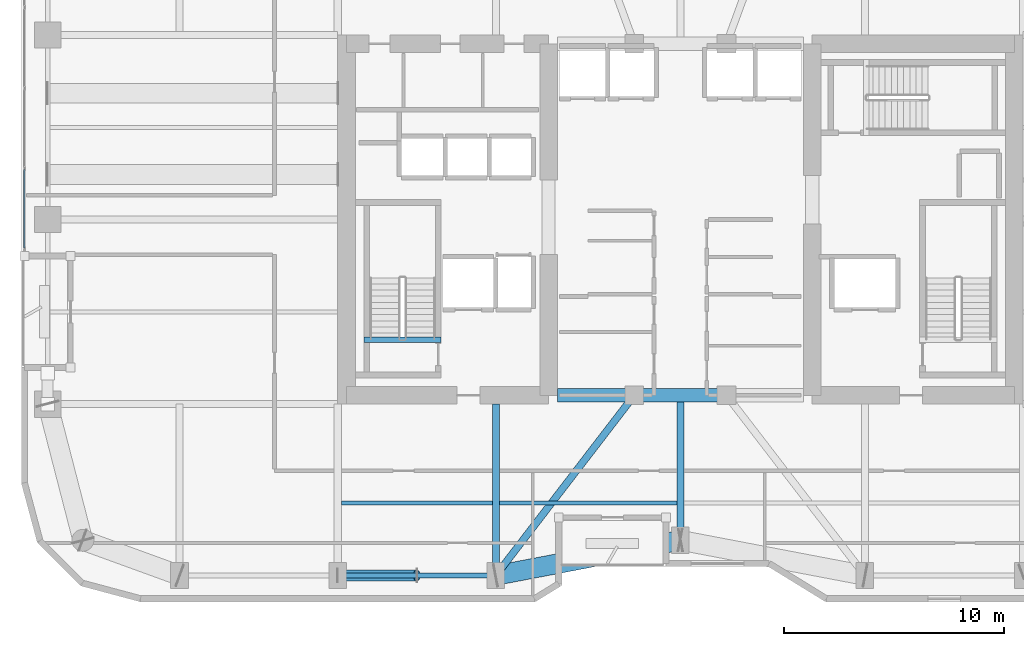
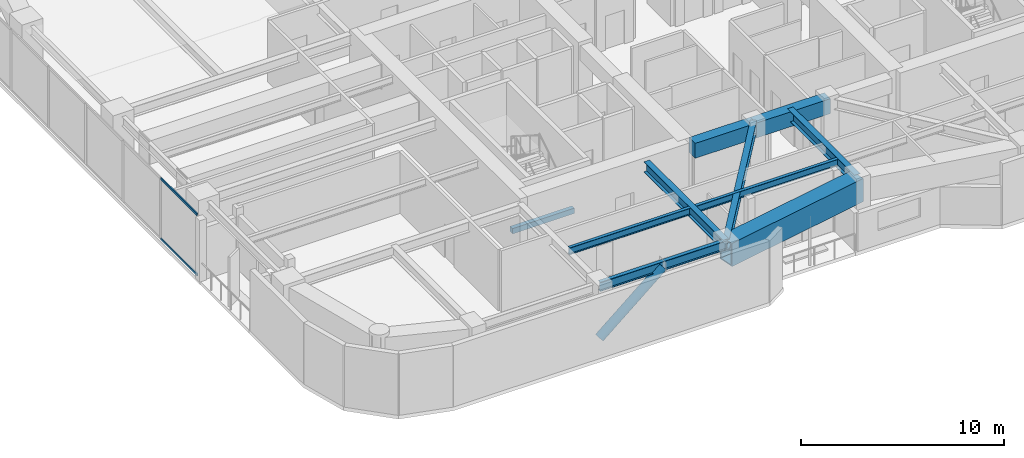
# One storey, part 3 of 30: 10 beams, 3 members, 1 element without a shape of its own.
"""IFC4 building model written with IfcOpenShell, lengths in metres."""

from ifc_helpers import new_model, si_unit, direction, frame, origin, origin_2d, place, context, subcontext, project, spatial, rectangle, hollow_rectangle, hollow_circle, i_section, extrude, material, layer, layer_set, material_profile, profile_set, type_object, element, aggregate, save


model = new_model("IFC4")

# Units and contexts
model_context = context("Model", 3, precision=1e-05, world=origin(), true_north=direction((0.0, 1.0)))
body_context = subcontext(model_context, "Body", "Model", "MODEL_VIEW")
ifc_project = project(units=[si_unit("LENGTHUNIT", "METRE"), si_unit("AREAUNIT", "SQUARE_METRE"), si_unit("VOLUMEUNIT", "CUBIC_METRE"), si_unit("PLANEANGLEUNIT", "RADIAN"), si_unit("MASSUNIT", "GRAM", prefix="KILO")], contexts=[model_context])

# Site, building, storey
site_placement = place(None, origin())
site = spatial("IfcSite", under=ifc_project, at=site_placement, CompositionType="ELEMENT")
building_placement = place(site_placement, origin())
building = spatial("IfcBuilding", under=site, at=building_placement, Name="Kiyonajd Concourse Tower", CompositionType="ELEMENT")
storey_placement = place(building_placement, frame((0.0, 0.0, 177.89990234375)))
storey = spatial("IfcBuildingStorey", under=building, at=storey_placement, Name="L45", CompositionType="ELEMENT", Elevation=177.89990234375)

# Beams
ifc_material_1 = material(Name="Concrete C60/75", Category="concrete")
ifc_material_profile_1 = material_profile(ifc_material_1, rectangle(XDim=0.60009765625, YDim=0.89990234375, at=origin_2d()), Name="RCBM-600x900")
ifc_profile_set_1 = profile_set([ifc_material_profile_1], Name="Concrete C60/75")
beam_type_1 = type_object("IfcBeamType", Name="BM-COUP-900", PredefinedType="LINTEL", material=ifc_profile_set_1)
beam_1_placement = place(storey_placement, frame((42.39990234375, 28.0, 3.22998046875), z_axis=(1.0, 0.0, 0.0), x_axis=(0.0, 1.0, 0.0)))
element("IfcBeam", 1, at=beam_1_placement, inside=storey, type_object=beam_type_1, Name="L45 Core Coupling Beam S1", PredefinedType="LINTEL", context=body_context, shape_type="SweptSolid", body=[
    extrude(rectangle(XDim=0.60009765625, YDim=0.89990234375, at=origin_2d()), origin(), (0.0, 0.0, 1.0), 3.5),
])
beam_2_placement = place(storey_placement, frame((45.89990234375, 28.0, 3.22998046875), z_axis=(1.0, 0.0, 0.0), x_axis=(0.0, 1.0, 0.0)))
element("IfcBeam", 2, at=beam_2_placement, inside=storey, type_object=beam_type_1, Name="L45 Core Coupling Beam S2", PredefinedType="LINTEL", context=body_context, shape_type="SweptSolid", body=[
    extrude(rectangle(XDim=0.60009765625, YDim=0.89990234375, at=origin_2d()), origin(), (0.0, 0.0, 1.0), 4.2001953125),
])
ifc_material_2 = material(Name="Steel ASTM A992 Grade 50", Category="steel")
ifc_material_profile_2 = material_profile(ifc_material_2, i_section(OverallWidth=0.180908203125, OverallDepth=0.4169921875, WebThickness=0.010986328125, FlangeThickness=0.018310546875, at=origin_2d()), Name="W410X85")
ifc_profile_set_2 = profile_set([ifc_material_profile_2], Name="Steel ASTM A992 Grade 50")
beam_type_2 = type_object("IfcBeamType", Name="BM-JST-410", PredefinedType="JOIST", material=ifc_profile_set_2)
beam_3_placement = place(storey_placement, frame((32.5634765625, 23.10009765625, 3.4716796875), z_axis=(1.0, 0.0, 0.0), x_axis=(0.0, 1.0, 0.0)))
element("IfcBeam", 3, at=beam_3_placement, inside=storey, type_object=beam_type_2, Name="L45 Secondary Floor Joist", PredefinedType="JOIST", context=body_context, shape_type="SweptSolid", body=[
    extrude(i_section(OverallWidth=0.180908203125, OverallDepth=0.4169921875, WebThickness=0.010986328125, FlangeThickness=0.018310546875, at=origin_2d()), origin(), (0.0, 0.0, 1.0), 6.873046875),
])
beam_4_placement = place(storey_placement, frame((39.763427734375, 23.10009765625, 3.4716796875), z_axis=(1.0, 0.0, 0.0), x_axis=(0.0, 1.0, 0.0)))
element("IfcBeam", 4, at=beam_4_placement, inside=storey, type_object=beam_type_2, Name="L45 Secondary Floor Joist", PredefinedType="JOIST", context=body_context, shape_type="SweptSolid", body=[
    extrude(i_section(OverallWidth=0.180908203125, OverallDepth=0.4169921875, WebThickness=0.010986328125, FlangeThickness=0.018310546875, at=origin_2d()), origin(), (0.0, 0.0, 1.0), 8.072998046875),
])
ifc_material_3 = material(Name="Concrete C50/60", Category="concrete")
ifc_material_profile_3 = material_profile(ifc_material_3, rectangle(XDim=0.239990234375, YDim=0.320068359375, at=origin_2d()), Name="RCBM-240x320")
ifc_profile_set_3 = profile_set([ifc_material_profile_3], Name="Concrete C50/60")
beam_type_3 = type_object("IfcBeamType", Name="BM-LNT-250", PredefinedType="LINTEL", material=ifc_profile_set_3)
beam_5_placement = place(storey_placement, frame((33.590087890625, 30.530029296875, -0.159912109375), z_axis=(1.0, 0.0, 0.0), x_axis=(0.0, 1.0, 0.0)))
element("IfcBeam", 5, at=beam_5_placement, inside=storey, type_object=beam_type_3, Name="L45 Stair ST1 Threshold Support Beam", PredefinedType="LINTEL", context=body_context, shape_type="SweptSolid", body=[
    extrude(rectangle(XDim=0.239990234375, YDim=0.320068359375, at=origin_2d()), origin(), (0.0, 0.0, 1.0), 3.52001953125),
])
ifc_material_profile_4 = material_profile(ifc_material_2, i_section(OverallWidth=0.214111328125, OverallDepth=0.549072265625, WebThickness=0.0146484375, FlangeThickness=0.023681640625, at=origin_2d()), Name="W530X138")
ifc_profile_set_4 = profile_set([ifc_material_profile_4], Name="Steel ASTM A992 Grade 50")
beam_type_4 = type_object("IfcBeamType", Name="BM-SPAN-530A", PredefinedType="SPANDREL", material=ifc_profile_set_4)
beam_6_placement = place(storey_placement, frame((32.39990234375, 19.800048828125, 3.405517578125), z_axis=(1.0, 0.0, 0.0), x_axis=(0.0, 1.0, 0.0)))
element("IfcBeam", 6, at=beam_6_placement, inside=storey, type_object=beam_type_4, Name="L45 Perimeter Bundled Tube Spandrel", PredefinedType="SPANDREL", context=body_context, shape_type="SweptSolid", body=[
    extrude(i_section(OverallWidth=0.214111328125, OverallDepth=0.549072265625, WebThickness=0.0146484375, FlangeThickness=0.023681640625, at=origin_2d()), origin(), (0.0, 0.0, 1.0), 7.2001953125),
])
ifc_material_profile_5 = material_profile(ifc_material_2, i_section(OverallWidth=0.326904296875, OverallDepth=0.6220703125, WebThickness=0.015380859375, FlangeThickness=0.0244140625, at=origin_2d()), Name="W610X195")
ifc_profile_set_5 = profile_set([ifc_material_profile_5], Name="Steel ASTM A992 Grade 50")
beam_type_5 = type_object("IfcBeamType", Name="BM-TWR-610A", PredefinedType="BEAM", material=ifc_profile_set_5)
beam_7_placement = place(storey_placement, frame((39.60009765625, 19.800048828125, 3.369140625), z_axis=(0.609233709922, 0.792990722956, 0.0), x_axis=(-0.792990722956, 0.609233709922, 0.0)))
element("IfcBeam", 7, at=beam_7_placement, inside=storey, type_object=beam_type_5, Name="L45 Core Tie Girder", PredefinedType="BEAM", context=body_context, shape_type="SweptSolid", body=[
    extrude(i_section(OverallWidth=0.326904296875, OverallDepth=0.6220703125, WebThickness=0.015380859375, FlangeThickness=0.0244140625, at=origin_2d()), origin(), (0.0, 0.0, 1.0), 10.340576171875),
])
beam_8_placement = place(storey_placement, frame((39.60009765625, 19.800048828125, 3.369140625), z_axis=(0.0, 1.0, 0.0), x_axis=(-1.0, 0.0, 0.0)))
element("IfcBeam", 8, at=beam_8_placement, inside=storey, type_object=beam_type_5, Name="L45 South Lease Girder", PredefinedType="BEAM", context=body_context, shape_type="SweptSolid", body=[
    extrude(i_section(OverallWidth=0.326904296875, OverallDepth=0.6220703125, WebThickness=0.015380859375, FlangeThickness=0.0244140625, at=origin_2d()), origin(), (0.0, 0.0, 1.0), 7.800048828125),
])
beam_9_placement = place(storey_placement, frame((48.0, 21.39990234375, 3.369140625), z_axis=(0.0, 1.0, 0.0), x_axis=(-1.0, 0.0, 0.0)))
element("IfcBeam", 9, at=beam_9_placement, inside=storey, type_object=beam_type_5, Name="L45 South Ribbon Girder", PredefinedType="BEAM", context=body_context, shape_type="SweptSolid", body=[
    extrude(i_section(OverallWidth=0.326904296875, OverallDepth=0.6220703125, WebThickness=0.015380859375, FlangeThickness=0.0244140625, at=origin_2d()), origin(), (0.0, 0.0, 1.0), 6.60009765625),
])
ifc_material_4 = material(Name="Steel ASTM A572 Grade 50", Category="steel")
ifc_material_profile_6 = material_profile(ifc_material_4, hollow_rectangle(XDim=0.89990234375, YDim=1.39990234375, WallThickness=0.070068359375, at=origin_2d()), Name="BOX-1400x900x70")
ifc_profile_set_6 = profile_set([ifc_material_profile_6], Name="Steel ASTM A572 Grade 50")
beam_type_6 = type_object("IfcBeamType", Name="BM-XFER-1400", PredefinedType="BEAM", material=ifc_profile_set_6)
beam_10_placement = place(storey_placement, frame((39.60009765625, 19.800048828125, 2.97998046875), z_axis=(0.982341315253, 0.187097675953, 0.0), x_axis=(-0.187097675953, 0.982341315253, 0.0)))
element("IfcBeam", 10, at=beam_10_placement, inside=storey, type_object=beam_type_6, Name="L45 Perimeter Bundled Tube Spandrel", PredefinedType="BEAM", context=body_context, shape_type="SweptSolid", body=[
    extrude(hollow_rectangle(XDim=0.89990234375, YDim=1.39990234375, WallThickness=0.070068359375, at=origin_2d()), origin(), (0.0, 0.0, 1.0), 8.55078125),
])

# Curtain wall, members
ifc_material_5 = material(Name="Thermally Broken Anodised Aluminium", Category="aluminium")
ifc_layer = layer(ifc_material_5, 0.179931640625)
ifc_layer_set = layer_set([ifc_layer], Name="Thermally Broken Anodised Aluminium")
curtain_wall_type = type_object("IfcCurtainWallType", Name="CW-SYS-03", PredefinedType="NOTDEFINED", material=ifc_layer_set)
curtain_wall_placement = place(storey_placement, origin())
curtain_wall = element("IfcCurtainWall", 11, at=curtain_wall_placement, inside=storey, type_object=curtain_wall_type, Name="L45 Unitised Curtain Wall CW3", PredefinedType="NOTDEFINED")
ifc_material_profile_7 = material_profile(ifc_material_5, hollow_rectangle(XDim=0.06494140625, YDim=0.139892578125, WallThickness=0.00390625, at=origin_2d()), Name="TRAN-65x140")
ifc_profile_set_7 = profile_set([ifc_material_profile_7], Name="Thermally Broken Anodised Aluminium")
member_type_1 = type_object("IfcMemberType", Name="MB-CW-TRAN1", PredefinedType="USERDEFINED", material=ifc_profile_set_7)
member_1_placement = place(storey_placement, frame((18.139892578125, 34.695068359375, 0.03271484375), z_axis=(0.0, 1.0, 0.0), x_axis=(-1.0, 0.0, 0.0)))
member_1 = element("IfcMember", 12, at=member_1_placement, type_object=member_type_1, Name="CW3 transom 1.1", ObjectType="TRANSOM", PredefinedType="USERDEFINED", context=body_context, shape_type="SweptSolid", body=[
    extrude(hollow_rectangle(XDim=0.06494140625, YDim=0.139892578125, WallThickness=0.00390625, at=origin_2d()), origin(), (0.0, 0.0, 1.0), 3.579345703125),
])
member_2_placement = place(storey_placement, frame((18.139892578125, 34.695068359375, 3.647705078125), z_axis=(0.0, 1.0, 0.0), x_axis=(-1.0, 0.0, 0.0)))
member_2 = element("IfcMember", 13, at=member_2_placement, type_object=member_type_1, Name="CW3 transom 1.2", ObjectType="TRANSOM", PredefinedType="USERDEFINED", context=body_context, shape_type="SweptSolid", body=[
    extrude(hollow_rectangle(XDim=0.06494140625, YDim=0.139892578125, WallThickness=0.00390625, at=origin_2d()), origin(), (0.0, 0.0, 1.0), 3.579345703125),
])
aggregate(curtain_wall, [member_1, member_2])

# Member
ifc_material_6 = material(Name="Steel ASTM A500 Grade C", Category="steel")
ifc_material_profile_8 = material_profile(ifc_material_6, hollow_circle(Radius=0.25390625, WallThickness=0.02197265625, at=origin_2d()), Name="CHS-508x22")
ifc_profile_set_8 = profile_set([ifc_material_profile_8], Name="Steel ASTM A500 Grade C")
member_type_2 = type_object("IfcMemberType", Name="MB-PB-MID", PredefinedType="BRACE", material=ifc_profile_set_8)
member_3_placement = place(storey_placement, frame((32.39990234375, 19.800048828125, 0.300048828125), z_axis=(0.765082043761, 0.0, 0.643932811957), x_axis=(0.0, 1.0, 0.0)))
element("IfcMember", 14, at=member_3_placement, inside=storey, type_object=member_type_2, Name="L45 Upper Zone Hollow Tube Brace PBS", PredefinedType="BRACE", context=body_context, shape_type="SweptSolid", body=[
    extrude(hollow_circle(Radius=0.25390625, WallThickness=0.02197265625, at=origin_2d()), origin(), (0.0, 0.0, 1.0), 4.70556640625),
])

save(model, "model.ifc")
